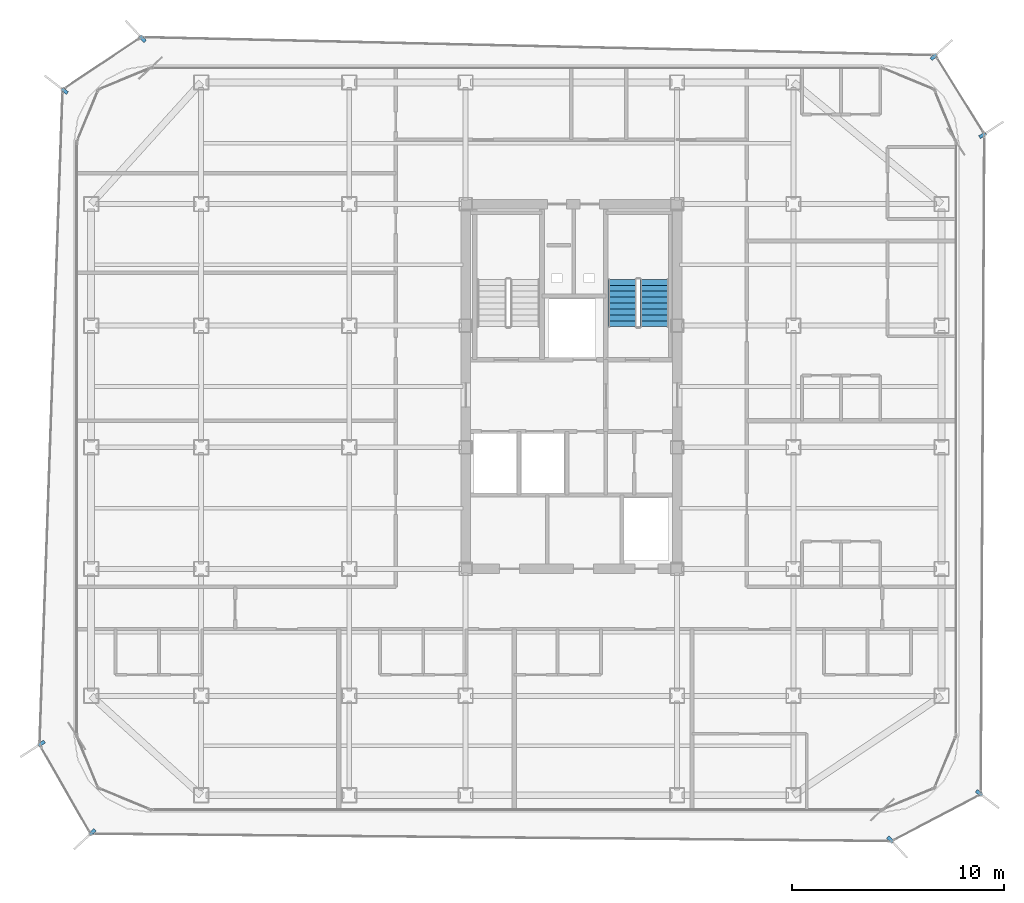
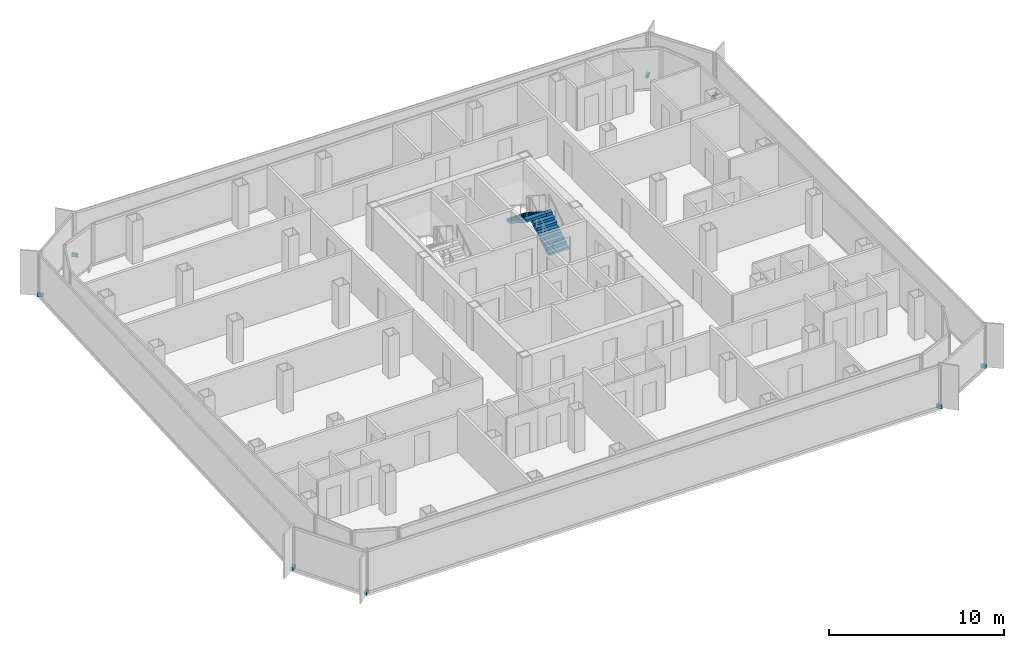
# One storey, part 13 of 16: 8 discrete accessories, 2 stair flights, 1 element without a shape of its own.
"""IFC4 building model written with IfcOpenShell, lengths in metres."""

import ifcopenshell
import ifcopenshell.guid

model = None  # the IFC model being written
_history = None  # IfcOwnerHistory: only IFC2X3 demands one
_inside = {}  # id of a spatial element -> (the spatial element, [elements in it])
_under = {}  # id of a project, library or spatial element -> (it, [spatial elements below it])
_declared = {}  # id of a project -> (the project, [libraries it declares])
_typed = {}  # id of a type object -> (the type object, [elements of that type])
_made_of = {}  # id of a material, layer set ... -> (it, [elements and type objects made of it])


def new_model(schema):
    """Start an empty IFC model of exactly this schema.

    Asked for "IFC4X3", IfcOpenShell would pick the latest addendum, in which some entities
    have other attributes; the version numbers below select the first issue.
    IFC2X3 requires an IfcOwnerHistory on every rooted entity: one is made here for all.
    """
    global model, _history
    if schema == "IFC4X3":
        model = ifcopenshell.file(schema_version=(4, 3, 0, 0))
    else:
        model = ifcopenshell.file(schema=schema)
    _inside.clear()
    _under.clear()
    _declared.clear()
    _typed.clear()
    _made_of.clear()
    _history = None
    if model.schema == "IFC2X3":
        org = make("IfcOrganization", Name="unknown")
        user = make(
            "IfcPersonAndOrganization",
            ThePerson=make("IfcPerson", FamilyName="unknown"),
            TheOrganization=org,
        )
        app = make(
            "IfcApplication",
            ApplicationDeveloper=org,
            Version="unknown",
            ApplicationFullName="unknown",
            ApplicationIdentifier="unknown",
        )
        _history = make(
            "IfcOwnerHistory",
            OwningUser=user,
            OwningApplication=app,
            ChangeAction="ADDED",
            CreationDate=0,
        )
    return model


def make(cls, **values):
    """One entity of the class cls with the attributes given. An attribute that is None is left unset."""
    return model.create_entity(
        cls, **{name: value for name, value in values.items() if value is not None}
    )


def rooted(cls, **values):
    """An entity with a GlobalId (a new one), such as an element, a storey or a relation."""
    return make(cls, GlobalId=ifcopenshell.guid.new(), OwnerHistory=_history, **values)


def si_unit(unit_type, name, prefix=None):
    """IfcSIUnit, for example si_unit("LENGTHUNIT", "METRE", prefix="MILLI")."""
    return make("IfcSIUnit", UnitType=unit_type, Prefix=prefix, Name=name)


def assignment(units):
    """IfcUnitAssignment: the units of a project."""
    return None if units is None else make("IfcUnitAssignment", Units=units)


def point(xyz):
    """IfcCartesianPoint."""
    return None if xyz is None else make("IfcCartesianPoint", Coordinates=xyz)


def direction(xyz):
    """IfcDirection."""
    return None if xyz is None else make("IfcDirection", DirectionRatios=xyz)


def frame(location, z_axis=None, x_axis=None):
    """IfcAxis2Placement3D, a coordinate frame: its origin and axes. An axis left out is left unset."""
    return make(
        "IfcAxis2Placement3D",
        Location=point(location),
        Axis=direction(z_axis),
        RefDirection=direction(x_axis),
    )


def frame_2d(location, x_axis=None):
    """IfcAxis2Placement2D, a coordinate frame in the plane: its origin and x axis."""
    return make(
        "IfcAxis2Placement2D", Location=point(location), RefDirection=direction(x_axis)
    )


def origin():
    """The frame at (0, 0, 0) with its axes left unset."""
    return frame((0.0, 0.0, 0.0))


def origin_2d():
    """The frame at (0, 0) in the plane with its x axis left unset."""
    return frame_2d((0.0, 0.0))


def place(relative_to, where):
    """IfcLocalPlacement: puts the frame where relative to a parent placement (None: the world)."""
    return make(
        "IfcLocalPlacement", PlacementRelTo=relative_to, RelativePlacement=where
    )


def context(
    kind, dimensions, precision=None, world=None, true_north=None, identifier=None
):
    """IfcGeometricRepresentationContext, for example the 3D "Model" context."""
    return make(
        "IfcGeometricRepresentationContext",
        ContextIdentifier=identifier,
        ContextType=kind,
        CoordinateSpaceDimension=dimensions,
        Precision=precision,
        WorldCoordinateSystem=world,
        TrueNorth=true_north,
    )


def subcontext(parent, identifier, kind, view, scale=None):
    """IfcGeometricRepresentationSubContext, for example "Body" below "Model"."""
    return make(
        "IfcGeometricRepresentationSubContext",
        ContextIdentifier=identifier,
        ContextType=kind,
        ParentContext=parent,
        TargetScale=scale,
        TargetView=view,
    )


def project(units=None, contexts=None):
    """IfcProject with its units and contexts."""
    return rooted(
        "IfcProject",
        Name="project",
        RepresentationContexts=contexts,
        UnitsInContext=assignment(units),
    )


def spatial(cls, under=None, at=None, **own):
    """A site, building, storey or space (cls), placed at a placement, below another one or the project."""
    s = rooted(cls, ObjectPlacement=at, **own)
    if under is not None:
        _under.setdefault(under.id(), (under, []))[1].append(s)
    return s


def polyline(points):
    """IfcPolyline through the points."""
    return make("IfcPolyline", Points=[point(p) for p in points])


def profile(cls, at=None, kind="AREA", **sizes):
    """A parametric profile (cls). Its sizes go by their IFC names, for example OverallWidth=200.0."""
    return make(cls, ProfileType=kind, Position=at, **sizes)


def rectangle(**sizes):
    """IfcRectangleProfileDef."""
    return profile("IfcRectangleProfileDef", **sizes)


def outline(outer, holes=None, kind="AREA"):
    """IfcArbitraryClosedProfileDef: a profile drawn as a closed curve; with holes, ...WithVoids."""
    if holes is None:
        return make("IfcArbitraryClosedProfileDef", ProfileType=kind, OuterCurve=outer)
    return make(
        "IfcArbitraryProfileDefWithVoids",
        ProfileType=kind,
        OuterCurve=outer,
        InnerCurves=holes,
    )


def extrude(swept, where, along, depth):
    """IfcExtrudedAreaSolid: the profile swept, set in the frame where, extruded along a direction by depth."""
    return make(
        "IfcExtrudedAreaSolid",
        SweptArea=swept,
        Position=where,
        ExtrudedDirection=direction(along),
        Depth=depth,
    )


def shape(context_of_items, identifier, shape_type, items):
    """IfcShapeRepresentation: the items that make up one representation, for example the "Body"."""
    return make(
        "IfcShapeRepresentation",
        ContextOfItems=context_of_items,
        RepresentationIdentifier=identifier,
        RepresentationType=shape_type,
        Items=items,
    )


def source(mapping_origin, context_of_items, identifier, shape_type, items):
    """IfcRepresentationMap: a shape defined once, which mapped items show again and again."""
    return make(
        "IfcRepresentationMap",
        MappingOrigin=mapping_origin,
        MappedRepresentation=shape(context_of_items, identifier, shape_type, items),
    )


def transform(
    local_origin,
    x_axis=None,
    y_axis=None,
    z_axis=None,
    scale=None,
    scale2=None,
    scale3=None,
    uniform=True,
):
    """IfcCartesianTransformationOperator3D, or its non-uniform kind. x_axis, y_axis, z_axis: its Axis1, 2, 3."""
    if uniform:
        return make(
            "IfcCartesianTransformationOperator3D",
            Axis1=direction(x_axis),
            Axis2=direction(y_axis),
            LocalOrigin=point(local_origin),
            Scale=scale,
            Axis3=direction(z_axis),
        )
    return make(
        "IfcCartesianTransformationOperator3DnonUniform",
        Axis1=direction(x_axis),
        Axis2=direction(y_axis),
        LocalOrigin=point(local_origin),
        Scale=scale,
        Axis3=direction(z_axis),
        Scale2=scale2,
        Scale3=scale3,
    )


def mapped(mapping_source, mapping_target):
    """IfcMappedItem: shows the shape of a source again, moved by a transform."""
    return make(
        "IfcMappedItem", MappingSource=mapping_source, MappingTarget=mapping_target
    )


def material(Name=None, Category=None):
    """IfcMaterial."""
    return make("IfcMaterial", Name=Name, Category=Category)


def layer(
    of_material, thickness, ventilated=None, Name=None, Category=None, Priority=None
):
    """IfcMaterialLayer: one layer of a wall or slab, of a material (None: an air gap)."""
    return make(
        "IfcMaterialLayer",
        Material=of_material,
        LayerThickness=thickness,
        IsVentilated=ventilated,
        Name=Name,
        Category=Category,
        Priority=Priority,
    )


def layer_set(layers, Name=None):
    """IfcMaterialLayerSet."""
    return make("IfcMaterialLayerSet", MaterialLayers=layers, LayerSetName=Name)


def made_of(thing, what):
    """Note that an element or type object is made of a material, layer set ...; save() writes the relation."""
    if what is not None:
        _made_of.setdefault(what.id(), (what, []))[1].append(thing)
    return thing


def type_object(cls, material=None, **own):
    """A type object (cls), such as IfcWallType, which elements share."""
    return made_of(rooted(cls, **own), material)


def element(
    cls,
    number,
    at=None,
    inside=None,
    cuts=None,
    type_object=None,
    material=None,
    context=None,
    identifier="Body",
    shape_type=None,
    held_by="IfcProductDefinitionShape",
    body=None,
    shapes=None,
    **own,
):
    """One element of the class cls, such as IfcWall. Its Tag is "e" and its number.

    at: its placement. inside: the storey or other place that contains it. cuts: it is an
    opening in that element (IfcRelVoidsElement). A single representation is given by context,
    identifier, shape_type and body (its items); several are given by shapes. held_by: the class
    of the entity that holds the representations. save() writes the other relations.
    """
    e = rooted(cls, Tag="e%d" % number, ObjectPlacement=at, **own)
    if body is not None:
        shapes = [shape(context, identifier, shape_type, body)]
    if shapes is not None:
        e.Representation = make(held_by, Representations=shapes)
    if inside is not None:
        _inside.setdefault(inside.id(), (inside, []))[1].append(e)
    if cuts is not None:
        rooted(
            "IfcRelVoidsElement", RelatingBuildingElement=cuts, RelatedOpeningElement=e
        )
    if type_object is not None:
        _typed.setdefault(type_object.id(), (type_object, []))[1].append(e)
    return made_of(e, material)


def aggregate(whole, parts):
    """IfcRelAggregates: a whole, such as a stair, and the parts it consists of."""
    return rooted("IfcRelAggregates", RelatingObject=whole, RelatedObjects=parts)


def save(model, path):
    """Write the relations noted so far, then the file.

    IfcRelAggregates (storeys below a building ...), IfcRelContainedInSpatialStructure (elements
    in a storey), IfcRelDefinesByType, IfcRelAssociatesMaterial and IfcRelDeclares: one each for
    every whole, place, type object, material and project.
    """
    for whole, parts in _under.values():
        aggregate(whole, parts)
    for where, things in _inside.values():
        rooted(
            "IfcRelContainedInSpatialStructure",
            RelatedElements=things,
            RelatingStructure=where,
        )
    for kind, things in _typed.values():
        rooted("IfcRelDefinesByType", RelatedObjects=things, RelatingType=kind)
    for what, things in _made_of.values():
        rooted("IfcRelAssociatesMaterial", RelatedObjects=things, RelatingMaterial=what)
    for by, libraries in _declared.values():
        rooted("IfcRelDeclares", RelatingContext=by, RelatedDefinitions=libraries)
    model.write(path)


model = new_model("IFC4")

# Units and contexts
model_context = context("Model", 3, precision=1e-05, world=origin(), true_north=direction((0.0, 1.0)))
body_context = subcontext(model_context, "Body", "Model", "MODEL_VIEW")
ifc_project = project(units=[si_unit("LENGTHUNIT", "METRE"), si_unit("AREAUNIT", "SQUARE_METRE"), si_unit("VOLUMEUNIT", "CUBIC_METRE"), si_unit("PLANEANGLEUNIT", "RADIAN"), si_unit("MASSUNIT", "GRAM", prefix="KILO")], contexts=[model_context])

# Site, building, storey
site_placement = place(None, origin())
site = spatial("IfcSite", under=ifc_project, at=site_placement, CompositionType="ELEMENT")
building_placement = place(site_placement, origin())
building = spatial("IfcBuilding", under=site, at=building_placement, Name="Kolveth Station Tower", CompositionType="ELEMENT")
storey_placement = place(building_placement, frame((0.0, 0.0, 162.5)))
storey = spatial("IfcBuildingStorey", under=building, at=storey_placement, Name="L45", CompositionType="ELEMENT", Elevation=162.5)

# Stair, stair flights
ifc_material_1 = material(Name="Concrete C40/50", Category="concrete")
stair_type = type_object("IfcStairType", Name="Stair_ST2", PredefinedType="HALF_TURN_STAIR", material=ifc_material_1)
stair_placement = place(storey_placement, origin())
stair = element("IfcStair", 1, at=stair_placement, inside=storey, type_object=stair_type, Name="L45 Tower Exit Stair ST2", PredefinedType="HALF_TURN_STAIR")
ifc_layer = layer(ifc_material_1, 0.179931640625)
ifc_layer_set = layer_set([ifc_layer], Name="Concrete C40/50")
stair_flight_type = type_object("IfcStairFlightType", Name="Flight_ST2", PredefinedType="STRAIGHT", material=ifc_layer_set)
stair_flight_1_placement = place(storey_placement, frame((27.425048828125, 22.949951171875, 0.0), z_axis=(0.0, 0.0, 1.0), x_axis=(0.0, 1.0, 0.0)))
stair_flight_1 = element("IfcStairFlight", 2, at=stair_flight_1_placement, type_object=stair_flight_type, Name="ST2 flight 1", NumberOfRisers=9, NumberOfTreads=8, PredefinedType="STRAIGHT", RiserHeight=0.177777778, TreadLength=0.28, context=body_context, shape_type="SweptSolid", body=[
    extrude(outline(polyline([(0.0, 0.0), (0.0, 0.177734375), (0.280029296875, 0.177734375), (0.280029296875, 0.35546875), (0.56005859375, 0.35546875), (0.56005859375, 0.533447265625), (0.840087890625, 0.533447265625), (0.840087890625, 0.711181640625), (1.1201171875, 0.711181640625), (1.1201171875, 0.888916015625), (1.39990234375, 0.888916015625), (1.39990234375, 1.066650390625), (1.679931640625, 1.066650390625), (1.679931640625, 1.244384765625), (1.9599609375, 1.244384765625), (1.9599609375, 1.422119140625), (2.239990234375, 1.422119140625), (2.239990234375, 1.60009765625), (2.239990234375, 1.24462890625), (0.27978515625, 0.0), (0.0, 0.0)])), frame((0.0, 0.675048828125, 0.0), z_axis=(0.0, -1.0, 0.0), x_axis=(1.0, 0.0, 0.0)), (0.0, 0.0, 1.0), 1.35009765625),
])
stair_flight_2_placement = place(storey_placement, frame((25.9150390625, 25.18994140625, 1.60009765625), z_axis=(0.0, 0.0, 1.0), x_axis=(0.0, -1.0, 0.0)))
stair_flight_2 = element("IfcStairFlight", 3, at=stair_flight_2_placement, type_object=stair_flight_type, Name="ST2 flight 2", NumberOfRisers=9, NumberOfTreads=8, PredefinedType="STRAIGHT", RiserHeight=0.177777778, TreadLength=0.28, context=body_context, shape_type="SweptSolid", body=[
    extrude(outline(polyline([(0.0, 0.0), (0.0, 0.177734375), (0.280029296875, 0.177734375), (0.280029296875, 0.35546875), (0.56005859375, 0.35546875), (0.56005859375, 0.533447265625), (0.840087890625, 0.533447265625), (0.840087890625, 0.711181640625), (1.1201171875, 0.711181640625), (1.1201171875, 0.888916015625), (1.39990234375, 0.888916015625), (1.39990234375, 1.066650390625), (1.679931640625, 1.066650390625), (1.679931640625, 1.244384765625), (1.9599609375, 1.244384765625), (1.9599609375, 1.422119140625), (2.239990234375, 1.422119140625), (2.239990234375, 1.60009765625), (2.239990234375, 1.24462890625), (0.27978515625, 0.0), (0.0, 0.0)])), frame((0.0, 0.675048828125, 0.0), z_axis=(0.0, -1.0, 0.0), x_axis=(1.0, 0.0, 0.0)), (0.0, 0.0, 1.0), 1.35009765625),
])
aggregate(stair, [stair_flight_1, stair_flight_2])

# Discrete accessories
ifc_material_2 = material(Name="Steel S355", Category="steel")
discrete_accessory_type = type_object("IfcDiscreteAccessoryType", Name="Bracket_BK1", PredefinedType="BRACKET", material=ifc_material_2)
shared_shape = source(origin(), body_context, "Body", "SweptSolid", [
    extrude(rectangle(XDim=0.35009765625, YDim=0.159912109375, at=origin_2d()), origin(), (0.0, 0.0, 1.0), 0.219970703125),
])
for number, where, z_axis, x_axis, name in (
    (4, (38.575927734375, -1.2958984375, -0.06005859375), (0.0, 0.0, 1.0), (0.682125994975, -0.731234659312, 0.0), "L45 Double-Skin Radial Tie Bracket 1"),
    (5, (42.779052734375, 0.904052734375, -0.06005859375), (0.0, 0.0, 1.0), (0.794096490407, -0.607791710969, 0.0), "L45 Double-Skin Radial Tie Bracket 2"),
    (6, (42.943115234375, 32.0029296875, -0.06005859375), (0.0, 0.0, 1.0), (0.838004540093, 0.545663257682, 0.0), "L45 Double-Skin Radial Tie Bracket 3"),
    (7, (40.637939453125, 35.7119140625, -0.06005859375), (0.0, 0.0, 1.0), (0.737748808042, 0.675075326339, 0.0), "L45 Double-Skin Radial Tie Bracket 4"),
    (8, (3.22900390625, 36.56005859375, -0.06005859375), (0.0, 0.0, 1.0), (-0.682763857781, 0.730639113728, 0.0), "L45 Double-Skin Radial Tie Bracket 5"),
    (9, (-0.464111328125, 34.10009765625, -0.06005859375), (0.0, 0.0, 1.0), (-0.792289643355, 0.610145163901, 0.0), "L45 Double-Skin Radial Tie Bracket 6"),
    (10, (-1.551025390625, 3.2451171875, -0.06005859375), (0.0, 0.0, 1.0), (-0.841699310121, -0.539946544894, 0.0), "L45 Double-Skin Radial Tie Bracket 7"),
    (11, (0.85205078125, -0.9541015625, -0.06005859375), (0.0, 0.0, 1.0), (-0.733017953051, -0.680209291693, 0.0), "L45 Double-Skin Radial Tie Bracket 8"),
):
    element("IfcDiscreteAccessory", number, at=place(storey_placement, frame(where, z_axis=z_axis, x_axis=x_axis)), inside=storey, type_object=discrete_accessory_type, Name=name, PredefinedType="BRACKET", context=body_context, shape_type="MappedRepresentation", body=[
        mapped(shared_shape, transform((0.0, 0.0, 0.0), x_axis=(1.0, 0.0, 0.0), y_axis=(0.0, 1.0, 0.0), z_axis=(0.0, 0.0, 1.0), scale=1.0)),
    ])

save(model, "model.ifc")
